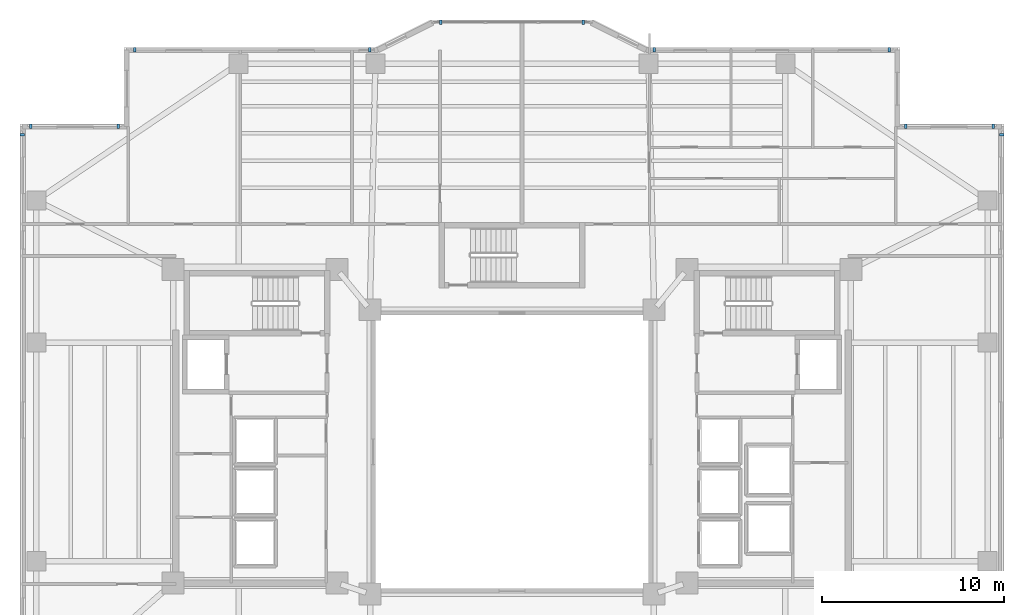
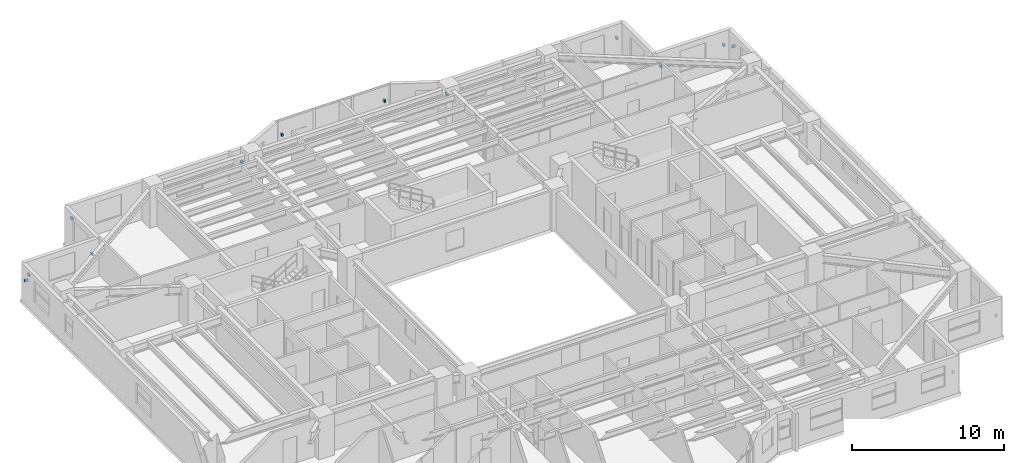
# One storey, part 13 of 18: 12 discrete accessories.
"""IFC4 building model written with IfcOpenShell, lengths in metres."""

from ifc_helpers import new_model, si_unit, direction, frame, origin, origin_2d, place, context, subcontext, project, spatial, rectangle, extrude, material, type_object, element, save


model = new_model("IFC4")

# Units and contexts
model_context = context("Model", 3, precision=1e-05, world=origin(), true_north=direction((0.0, 1.0)))
body_context = subcontext(model_context, "Body", "Model", "MODEL_VIEW")
ifc_project = project(units=[si_unit("LENGTHUNIT", "METRE"), si_unit("AREAUNIT", "SQUARE_METRE"), si_unit("VOLUMEUNIT", "CUBIC_METRE"), si_unit("PLANEANGLEUNIT", "RADIAN"), si_unit("MASSUNIT", "GRAM", prefix="KILO")], contexts=[model_context])

# Site, building, storey
site_placement = place(None, origin())
site = spatial("IfcSite", under=ifc_project, at=site_placement, CompositionType="ELEMENT")
building_placement = place(site_placement, origin())
building = spatial("IfcBuilding", under=site, at=building_placement, Name="Tarnavaz Court Tower", CompositionType="ELEMENT")
storey_placement = place(building_placement, frame((0.0, 0.0, 115.14990234375)))
storey = spatial("IfcBuildingStorey", under=building, at=storey_placement, Name="L31", CompositionType="ELEMENT", Elevation=115.14990234375)

# Discrete accessories
ifc_material = material(Name="Anodised Aluminium 6063-T6", Category="aluminium")
discrete_accessory_type = type_object("IfcDiscreteAccessoryType", Name="DA-BRKT-ALU", PredefinedType="BRACKET", material=ifc_material)
for number, where, z_axis, x_axis, name in (
    (1, (-26.8701171875, 17.39990234375, 1.75), (0.0, 0.0, 1.0), (0.0, 1.0, 0.0), "L31 Baguette Outrigger Bracket FBG02-2"),
    (2, (-26.39990234375, 17.8701171875, 1.75), (0.0, 0.0, 1.0), (1.0, 0.0, 0.0), "L31 Baguette Outrigger Bracket FBG03-1"),
    (3, (-21.60009765625, 17.8701171875, 1.75), (0.0, 0.0, 1.0), (1.0, 0.0, 0.0), "L31 Baguette Outrigger Bracket FBG03-2"),
    (4, (-20.699951171875, 22.070068359375, 1.75), (0.0, 0.0, 1.0), (1.0, 0.0, 0.0), "L31 Baguette Outrigger Bracket FBG05-1"),
    (5, (-7.800048828125, 22.070068359375, 1.75), (0.0, 0.0, 1.0), (1.0, 0.0, 0.0), "L31 Baguette Outrigger Bracket FBG05-2"),
    (6, (-3.89990234375, 23.570068359375, 1.7001953125), (0.0, 0.0, 1.0), (1.0, 0.0, 0.0), "L31 Baguette Outrigger Bracket PBG7-1"),
    (7, (3.89990234375, 23.570068359375, 1.7001953125), (0.0, 0.0, 1.0), (1.0, 0.0, 0.0), "L31 Baguette Outrigger Bracket PBG7-2"),
    (8, (7.800048828125, 22.070068359375, 1.75), (0.0, 0.0, 1.0), (1.0, 0.0, 0.0), "L31 Baguette Outrigger Bracket FBG09-1"),
    (9, (20.699951171875, 22.070068359375, 1.75), (0.0, 0.0, 1.0), (1.0, 0.0, 0.0), "L31 Baguette Outrigger Bracket FBG09-2"),
    (10, (21.60009765625, 17.8701171875, 1.75), (0.0, 0.0, 1.0), (1.0, 0.0, 0.0), "L31 Baguette Outrigger Bracket FBG11-1"),
    (11, (26.39990234375, 17.8701171875, 1.75), (0.0, 0.0, 1.0), (1.0, 0.0, 0.0), "L31 Baguette Outrigger Bracket FBG11-2"),
    (12, (26.8701171875, 17.39990234375, 1.75), (0.0, 0.0, 1.0), (0.0, -1.0, 0.0), "L31 Baguette Outrigger Bracket FBG12-1"),
):
    element("IfcDiscreteAccessory", number, at=place(storey_placement, frame(where, z_axis=z_axis, x_axis=x_axis)), inside=storey, type_object=discrete_accessory_type, Name=name, PredefinedType="BRACKET", context=body_context, shape_type="SweptSolid", body=[
        extrude(rectangle(XDim=0.139892578125, YDim=0.239990234375, at=origin_2d()), origin(), (0.0, 0.0, 1.0), 0.199951171875),
    ])

save(model, "model.ifc")
